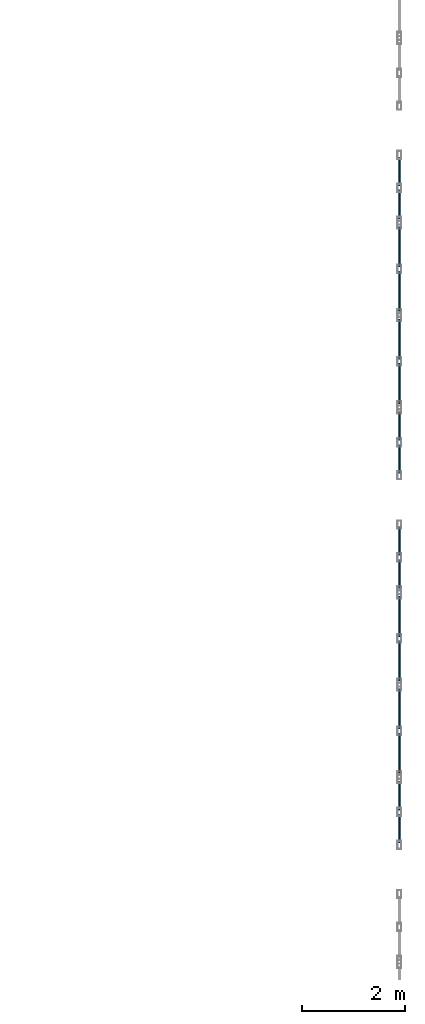
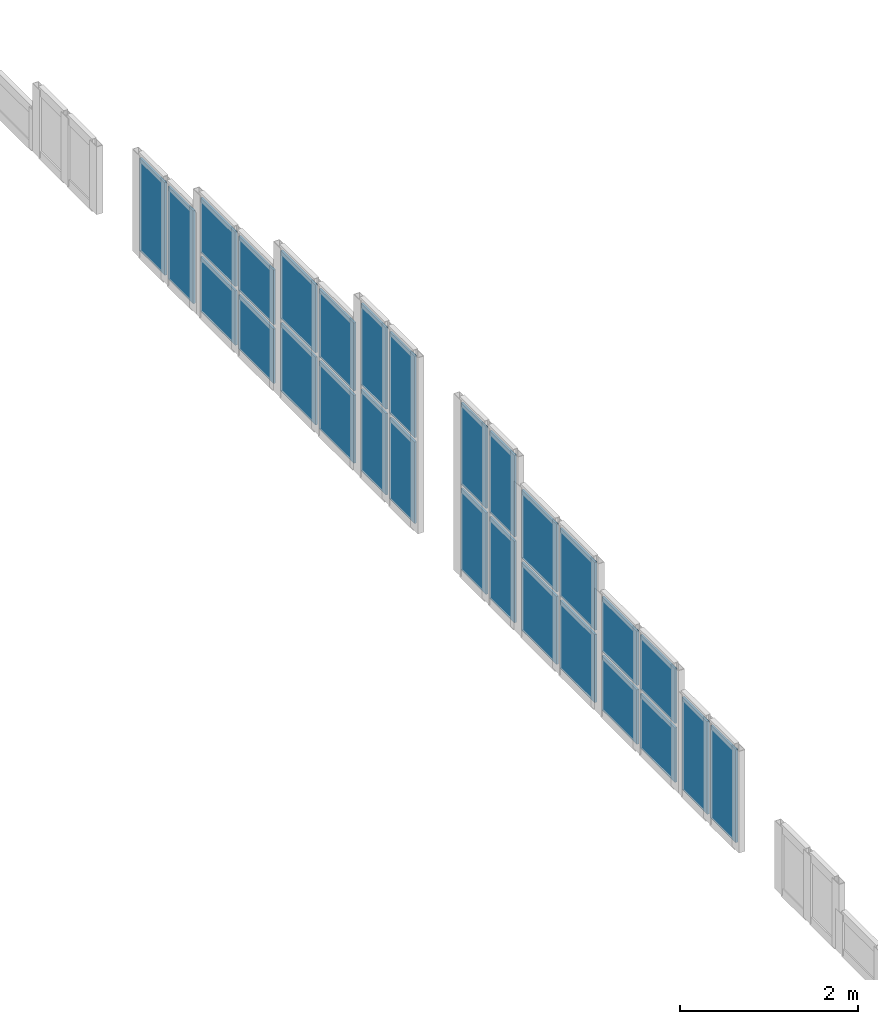
# One storey, part 11 of 20: 28 plates, 8 elements without a shape of their own.
"""IFC4 building model written with IfcOpenShell, lengths in metres."""

import ifcopenshell
import ifcopenshell.guid

model = None  # the IFC model being written
_history = None  # IfcOwnerHistory: only IFC2X3 demands one
_inside = {}  # id of a spatial element -> (the spatial element, [elements in it])
_under = {}  # id of a project, library or spatial element -> (it, [spatial elements below it])
_declared = {}  # id of a project -> (the project, [libraries it declares])
_typed = {}  # id of a type object -> (the type object, [elements of that type])
_made_of = {}  # id of a material, layer set ... -> (it, [elements and type objects made of it])


def new_model(schema):
    """Start an empty IFC model of exactly this schema.

    Asked for "IFC4X3", IfcOpenShell would pick the latest addendum, in which some entities
    have other attributes; the version numbers below select the first issue.
    IFC2X3 requires an IfcOwnerHistory on every rooted entity: one is made here for all.
    """
    global model, _history
    if schema == "IFC4X3":
        model = ifcopenshell.file(schema_version=(4, 3, 0, 0))
    else:
        model = ifcopenshell.file(schema=schema)
    _inside.clear()
    _under.clear()
    _declared.clear()
    _typed.clear()
    _made_of.clear()
    _history = None
    if model.schema == "IFC2X3":
        org = make("IfcOrganization", Name="unknown")
        user = make(
            "IfcPersonAndOrganization",
            ThePerson=make("IfcPerson", FamilyName="unknown"),
            TheOrganization=org,
        )
        app = make(
            "IfcApplication",
            ApplicationDeveloper=org,
            Version="unknown",
            ApplicationFullName="unknown",
            ApplicationIdentifier="unknown",
        )
        _history = make(
            "IfcOwnerHistory",
            OwningUser=user,
            OwningApplication=app,
            ChangeAction="ADDED",
            CreationDate=0,
        )
    return model


def make(cls, **values):
    """One entity of the class cls with the attributes given. An attribute that is None is left unset."""
    return model.create_entity(
        cls, **{name: value for name, value in values.items() if value is not None}
    )


def rooted(cls, **values):
    """An entity with a GlobalId (a new one), such as an element, a storey or a relation."""
    return make(cls, GlobalId=ifcopenshell.guid.new(), OwnerHistory=_history, **values)


def si_unit(unit_type, name, prefix=None):
    """IfcSIUnit, for example si_unit("LENGTHUNIT", "METRE", prefix="MILLI")."""
    return make("IfcSIUnit", UnitType=unit_type, Prefix=prefix, Name=name)


def assignment(units):
    """IfcUnitAssignment: the units of a project."""
    return None if units is None else make("IfcUnitAssignment", Units=units)


def point(xyz):
    """IfcCartesianPoint."""
    return None if xyz is None else make("IfcCartesianPoint", Coordinates=xyz)


def direction(xyz):
    """IfcDirection."""
    return None if xyz is None else make("IfcDirection", DirectionRatios=xyz)


def frame(location, z_axis=None, x_axis=None):
    """IfcAxis2Placement3D, a coordinate frame: its origin and axes. An axis left out is left unset."""
    return make(
        "IfcAxis2Placement3D",
        Location=point(location),
        Axis=direction(z_axis),
        RefDirection=direction(x_axis),
    )


def frame_2d(location, x_axis=None):
    """IfcAxis2Placement2D, a coordinate frame in the plane: its origin and x axis."""
    return make(
        "IfcAxis2Placement2D", Location=point(location), RefDirection=direction(x_axis)
    )


def origin():
    """The frame at (0, 0, 0) with its axes left unset."""
    return frame((0.0, 0.0, 0.0))


def origin_2d():
    """The frame at (0, 0) in the plane with its x axis left unset."""
    return frame_2d((0.0, 0.0))


def place(relative_to, where):
    """IfcLocalPlacement: puts the frame where relative to a parent placement (None: the world)."""
    return make(
        "IfcLocalPlacement", PlacementRelTo=relative_to, RelativePlacement=where
    )


def context(
    kind, dimensions, precision=None, world=None, true_north=None, identifier=None
):
    """IfcGeometricRepresentationContext, for example the 3D "Model" context."""
    return make(
        "IfcGeometricRepresentationContext",
        ContextIdentifier=identifier,
        ContextType=kind,
        CoordinateSpaceDimension=dimensions,
        Precision=precision,
        WorldCoordinateSystem=world,
        TrueNorth=true_north,
    )


def subcontext(parent, identifier, kind, view, scale=None):
    """IfcGeometricRepresentationSubContext, for example "Body" below "Model"."""
    return make(
        "IfcGeometricRepresentationSubContext",
        ContextIdentifier=identifier,
        ContextType=kind,
        ParentContext=parent,
        TargetScale=scale,
        TargetView=view,
    )


def project(units=None, contexts=None):
    """IfcProject with its units and contexts."""
    return rooted(
        "IfcProject",
        Name="project",
        RepresentationContexts=contexts,
        UnitsInContext=assignment(units),
    )


def spatial(cls, under=None, at=None, **own):
    """A site, building, storey or space (cls), placed at a placement, below another one or the project."""
    s = rooted(cls, ObjectPlacement=at, **own)
    if under is not None:
        _under.setdefault(under.id(), (under, []))[1].append(s)
    return s


def profile(cls, at=None, kind="AREA", **sizes):
    """A parametric profile (cls). Its sizes go by their IFC names, for example OverallWidth=200.0."""
    return make(cls, ProfileType=kind, Position=at, **sizes)


def rectangle(**sizes):
    """IfcRectangleProfileDef."""
    return profile("IfcRectangleProfileDef", **sizes)


def extrude(swept, where, along, depth):
    """IfcExtrudedAreaSolid: the profile swept, set in the frame where, extruded along a direction by depth."""
    return make(
        "IfcExtrudedAreaSolid",
        SweptArea=swept,
        Position=where,
        ExtrudedDirection=direction(along),
        Depth=depth,
    )


def shape(context_of_items, identifier, shape_type, items):
    """IfcShapeRepresentation: the items that make up one representation, for example the "Body"."""
    return make(
        "IfcShapeRepresentation",
        ContextOfItems=context_of_items,
        RepresentationIdentifier=identifier,
        RepresentationType=shape_type,
        Items=items,
    )


def material(Name=None, Category=None):
    """IfcMaterial."""
    return make("IfcMaterial", Name=Name, Category=Category)


def layer(
    of_material, thickness, ventilated=None, Name=None, Category=None, Priority=None
):
    """IfcMaterialLayer: one layer of a wall or slab, of a material (None: an air gap)."""
    return make(
        "IfcMaterialLayer",
        Material=of_material,
        LayerThickness=thickness,
        IsVentilated=ventilated,
        Name=Name,
        Category=Category,
        Priority=Priority,
    )


def layer_set(layers, Name=None):
    """IfcMaterialLayerSet."""
    return make("IfcMaterialLayerSet", MaterialLayers=layers, LayerSetName=Name)


def made_of(thing, what):
    """Note that an element or type object is made of a material, layer set ...; save() writes the relation."""
    if what is not None:
        _made_of.setdefault(what.id(), (what, []))[1].append(thing)
    return thing


def type_object(cls, material=None, **own):
    """A type object (cls), such as IfcWallType, which elements share."""
    return made_of(rooted(cls, **own), material)


def element(
    cls,
    number,
    at=None,
    inside=None,
    cuts=None,
    type_object=None,
    material=None,
    context=None,
    identifier="Body",
    shape_type=None,
    held_by="IfcProductDefinitionShape",
    body=None,
    shapes=None,
    **own,
):
    """One element of the class cls, such as IfcWall. Its Tag is "e" and its number.

    at: its placement. inside: the storey or other place that contains it. cuts: it is an
    opening in that element (IfcRelVoidsElement). A single representation is given by context,
    identifier, shape_type and body (its items); several are given by shapes. held_by: the class
    of the entity that holds the representations. save() writes the other relations.
    """
    e = rooted(cls, Tag="e%d" % number, ObjectPlacement=at, **own)
    if body is not None:
        shapes = [shape(context, identifier, shape_type, body)]
    if shapes is not None:
        e.Representation = make(held_by, Representations=shapes)
    if inside is not None:
        _inside.setdefault(inside.id(), (inside, []))[1].append(e)
    if cuts is not None:
        rooted(
            "IfcRelVoidsElement", RelatingBuildingElement=cuts, RelatedOpeningElement=e
        )
    if type_object is not None:
        _typed.setdefault(type_object.id(), (type_object, []))[1].append(e)
    return made_of(e, material)


def aggregate(whole, parts):
    """IfcRelAggregates: a whole, such as a stair, and the parts it consists of."""
    return rooted("IfcRelAggregates", RelatingObject=whole, RelatedObjects=parts)


def save(model, path):
    """Write the relations noted so far, then the file.

    IfcRelAggregates (storeys below a building ...), IfcRelContainedInSpatialStructure (elements
    in a storey), IfcRelDefinesByType, IfcRelAssociatesMaterial and IfcRelDeclares: one each for
    every whole, place, type object, material and project.
    """
    for whole, parts in _under.values():
        aggregate(whole, parts)
    for where, things in _inside.values():
        rooted(
            "IfcRelContainedInSpatialStructure",
            RelatedElements=things,
            RelatingStructure=where,
        )
    for kind, things in _typed.values():
        rooted("IfcRelDefinesByType", RelatedObjects=things, RelatingType=kind)
    for what, things in _made_of.values():
        rooted("IfcRelAssociatesMaterial", RelatedObjects=things, RelatingMaterial=what)
    for by, libraries in _declared.values():
        rooted("IfcRelDeclares", RelatingContext=by, RelatedDefinitions=libraries)
    model.write(path)


model = new_model("IFC4")

# Units and contexts
model_context = context("Model", 3, precision=1e-05, world=origin(), true_north=direction((0.0, 1.0)))
body_context = subcontext(model_context, "Body", "Model", "MODEL_VIEW")
ifc_project = project(units=[si_unit("LENGTHUNIT", "METRE"), si_unit("AREAUNIT", "SQUARE_METRE"), si_unit("VOLUMEUNIT", "CUBIC_METRE"), si_unit("PLANEANGLEUNIT", "RADIAN"), si_unit("MASSUNIT", "GRAM", prefix="KILO"), si_unit("THERMODYNAMICTEMPERATUREUNIT", "KELVIN"), si_unit("POWERUNIT", "WATT")], contexts=[model_context])

# Site, building, storey
site_placement = place(None, origin())
site = spatial("IfcSite", under=ifc_project, at=site_placement, CompositionType="ELEMENT")
building_placement = place(site_placement, origin())
building = spatial("IfcBuilding", under=site, at=building_placement, Name="Kaldorven Railside Theatre", CompositionType="ELEMENT")
storey_placement = place(building_placement, frame((0.0, 0.0, 23.10009765625)))
storey = spatial("IfcBuildingStorey", under=building, at=storey_placement, Name="L05", CompositionType="ELEMENT", Elevation=23.10009765625)

# Curtain wall, plates
ifc_material = material(Name="Low-E laminated solar-control glass", Category="glass")
ifc_layer_1 = layer(ifc_material, 0.159912109375, Name="Low-E laminated solar-control glass")
ifc_layer_set_1 = layer_set([ifc_layer_1], Name="Low-E laminated solar-control glass")
curtain_wall_type_1 = type_object("IfcCurtainWallType", Name="CWT-73", PredefinedType="USERDEFINED", material=ifc_layer_set_1)
curtain_wall_1_placement = place(storey_placement, origin())
curtain_wall_1 = element("IfcCurtainWall", 1, at=curtain_wall_1_placement, inside=storey, type_object=curtain_wall_type_1, Name="Production East Gable Clerestory CWG-174", ObjectType="FLUTED GLAZING", PredefinedType="USERDEFINED")
ifc_layer_2 = layer(ifc_material, 0.028076171875, Name="Low-E laminated solar-control glass")
ifc_layer_set_2 = layer_set([ifc_layer_2], Name="Low-E laminated solar-control glass")
plate_type = type_object("IfcPlateType", Name="CWP-GLZ28", PredefinedType="CURTAIN_PANEL", material=ifc_layer_set_2)
plate_1_placement = place(storey_placement, frame((166.39990234375, 120.800048828125, 0.079833984375), z_axis=(0.0, 0.0, 1.0), x_axis=(0.0, 1.0, 0.0)))
plate_1 = element("IfcPlate", 2, at=plate_1_placement, type_object=plate_type, Name="CWG-174 panel 1.1", PredefinedType="CURTAIN_PANEL", context=body_context, shape_type="SweptSolid", body=[
    extrude(rectangle(XDim=0.56005859375, YDim=0.028076171875, at=origin_2d()), origin(), (0.0, 0.0, 1.0), 1.27001953125),
])
plate_2_placement = place(storey_placement, frame((166.39990234375, 121.43994140625, 0.079833984375), z_axis=(0.0, 0.0, 1.0), x_axis=(0.0, 1.0, 0.0)))
plate_2 = element("IfcPlate", 3, at=plate_2_placement, type_object=plate_type, Name="CWG-174 panel 2.1", PredefinedType="CURTAIN_PANEL", context=body_context, shape_type="SweptSolid", body=[
    extrude(rectangle(XDim=0.56005859375, YDim=0.028076171875, at=origin_2d()), origin(), (0.0, 0.0, 1.0), 1.27001953125),
])
aggregate(curtain_wall_1, [plate_1, plate_2])

ifc_layer_3 = layer(ifc_material, 0.159912109375, Name="Low-E laminated solar-control glass")
ifc_layer_set_3 = layer_set([ifc_layer_3], Name="Low-E laminated solar-control glass")
curtain_wall_type_2 = type_object("IfcCurtainWallType", Name="CWT-74", PredefinedType="USERDEFINED", material=ifc_layer_set_3)
curtain_wall_2_placement = place(storey_placement, origin())
curtain_wall_2 = element("IfcCurtainWall", 4, at=curtain_wall_2_placement, inside=storey, type_object=curtain_wall_type_2, Name="Production East Gable Clerestory CWG-175", ObjectType="FLUTED GLAZING", PredefinedType="USERDEFINED")
plate_3_placement = place(storey_placement, frame((166.39990234375, 122.27001953125, 0.079833984375), z_axis=(0.0, 0.0, 1.0), x_axis=(0.0, 1.0, 0.0)))
plate_3 = element("IfcPlate", 5, at=plate_3_placement, type_object=plate_type, Name="CWG-175 panel 1.1", PredefinedType="CURTAIN_PANEL", context=body_context, shape_type="SweptSolid", body=[
    extrude(rectangle(XDim=0.780029296875, YDim=0.028076171875, at=origin_2d()), origin(), (0.0, 0.0, 1.0), 0.7451171875),
])
plate_4_placement = place(storey_placement, frame((166.39990234375, 122.27001953125, 0.884765625), z_axis=(0.0, 0.0, 1.0), x_axis=(0.0, 1.0, 0.0)))
plate_4 = element("IfcPlate", 6, at=plate_4_placement, type_object=plate_type, Name="CWG-175 panel 1.2", PredefinedType="CURTAIN_PANEL", context=body_context, shape_type="SweptSolid", body=[
    extrude(rectangle(XDim=0.780029296875, YDim=0.028076171875, at=origin_2d()), origin(), (0.0, 0.0, 1.0), 0.7451171875),
])
plate_5_placement = place(storey_placement, frame((166.39990234375, 123.1298828125, 0.079833984375), z_axis=(0.0, 0.0, 1.0), x_axis=(0.0, 1.0, 0.0)))
plate_5 = element("IfcPlate", 7, at=plate_5_placement, type_object=plate_type, Name="CWG-175 panel 2.1", PredefinedType="CURTAIN_PANEL", context=body_context, shape_type="SweptSolid", body=[
    extrude(rectangle(XDim=0.780029296875, YDim=0.028076171875, at=origin_2d()), origin(), (0.0, 0.0, 1.0), 0.7451171875),
])
plate_6_placement = place(storey_placement, frame((166.39990234375, 123.1298828125, 0.884765625), z_axis=(0.0, 0.0, 1.0), x_axis=(0.0, 1.0, 0.0)))
plate_6 = element("IfcPlate", 8, at=plate_6_placement, type_object=plate_type, Name="CWG-175 panel 2.2", PredefinedType="CURTAIN_PANEL", context=body_context, shape_type="SweptSolid", body=[
    extrude(rectangle(XDim=0.780029296875, YDim=0.028076171875, at=origin_2d()), origin(), (0.0, 0.0, 1.0), 0.7451171875),
])
aggregate(curtain_wall_2, [plate_3, plate_4, plate_5, plate_6])

ifc_layer_4 = layer(ifc_material, 0.159912109375, Name="Low-E laminated solar-control glass")
ifc_layer_set_4 = layer_set([ifc_layer_4], Name="Low-E laminated solar-control glass")
curtain_wall_type_3 = type_object("IfcCurtainWallType", Name="CWT-75", PredefinedType="USERDEFINED", material=ifc_layer_set_4)
curtain_wall_3_placement = place(storey_placement, origin())
curtain_wall_3 = element("IfcCurtainWall", 9, at=curtain_wall_3_placement, inside=storey, type_object=curtain_wall_type_3, Name="Production East Gable Clerestory CWG-176", ObjectType="FLUTED GLAZING", PredefinedType="USERDEFINED")
plate_7_placement = place(storey_placement, frame((166.39990234375, 124.070068359375, 0.080078125), z_axis=(0.0, 0.0, 1.0), x_axis=(0.0, 1.0, 0.0)))
plate_7 = element("IfcPlate", 10, at=plate_7_placement, type_object=plate_type, Name="CWG-176 panel 1.1", PredefinedType="CURTAIN_PANEL", context=body_context, shape_type="SweptSolid", body=[
    extrude(rectangle(XDim=0.780029296875, YDim=0.028076171875, at=origin_2d()), origin(), (0.0, 0.0, 1.0), 0.929931640625),
])
plate_8_placement = place(storey_placement, frame((166.39990234375, 124.070068359375, 1.06982421875), z_axis=(0.0, 0.0, 1.0), x_axis=(0.0, 1.0, 0.0)))
plate_8 = element("IfcPlate", 11, at=plate_8_placement, type_object=plate_type, Name="CWG-176 panel 1.2", PredefinedType="CURTAIN_PANEL", context=body_context, shape_type="SweptSolid", body=[
    extrude(rectangle(XDim=0.780029296875, YDim=0.028076171875, at=origin_2d()), origin(), (0.0, 0.0, 1.0), 0.929931640625),
])
plate_9_placement = place(storey_placement, frame((166.39990234375, 124.929931640625, 0.080078125), z_axis=(0.0, 0.0, 1.0), x_axis=(0.0, 1.0, 0.0)))
plate_9 = element("IfcPlate", 12, at=plate_9_placement, type_object=plate_type, Name="CWG-176 panel 2.1", PredefinedType="CURTAIN_PANEL", context=body_context, shape_type="SweptSolid", body=[
    extrude(rectangle(XDim=0.780029296875, YDim=0.028076171875, at=origin_2d()), origin(), (0.0, 0.0, 1.0), 0.929931640625),
])
plate_10_placement = place(storey_placement, frame((166.39990234375, 124.929931640625, 1.06982421875), z_axis=(0.0, 0.0, 1.0), x_axis=(0.0, 1.0, 0.0)))
plate_10 = element("IfcPlate", 13, at=plate_10_placement, type_object=plate_type, Name="CWG-176 panel 2.2", PredefinedType="CURTAIN_PANEL", context=body_context, shape_type="SweptSolid", body=[
    extrude(rectangle(XDim=0.780029296875, YDim=0.028076171875, at=origin_2d()), origin(), (0.0, 0.0, 1.0), 0.929931640625),
])
aggregate(curtain_wall_3, [plate_7, plate_8, plate_9, plate_10])

ifc_layer_5 = layer(ifc_material, 0.159912109375, Name="Low-E laminated solar-control glass")
ifc_layer_set_5 = layer_set([ifc_layer_5], Name="Low-E laminated solar-control glass")
curtain_wall_type_4 = type_object("IfcCurtainWallType", Name="CWT-76", PredefinedType="USERDEFINED", material=ifc_layer_set_5)
curtain_wall_4_placement = place(storey_placement, origin())
curtain_wall_4 = element("IfcCurtainWall", 14, at=curtain_wall_4_placement, inside=storey, type_object=curtain_wall_type_4, Name="Production East Gable Clerestory CWG-177", ObjectType="FLUTED GLAZING", PredefinedType="USERDEFINED")
plate_11_placement = place(storey_placement, frame((166.39990234375, 125.760009765625, 0.080078125), z_axis=(0.0, 0.0, 1.0), x_axis=(0.0, 1.0, 0.0)))
plate_11 = element("IfcPlate", 15, at=plate_11_placement, type_object=plate_type, Name="CWG-177 panel 1.1", PredefinedType="CURTAIN_PANEL", context=body_context, shape_type="SweptSolid", body=[
    extrude(rectangle(XDim=0.56005859375, YDim=0.028076171875, at=origin_2d()), origin(), (0.0, 0.0, 1.0), 1.114990234375),
])
plate_12_placement = place(storey_placement, frame((166.39990234375, 125.760009765625, 1.2548828125), z_axis=(0.0, 0.0, 1.0), x_axis=(0.0, 1.0, 0.0)))
plate_12 = element("IfcPlate", 16, at=plate_12_placement, type_object=plate_type, Name="CWG-177 panel 1.2", PredefinedType="CURTAIN_PANEL", context=body_context, shape_type="SweptSolid", body=[
    extrude(rectangle(XDim=0.56005859375, YDim=0.028076171875, at=origin_2d()), origin(), (0.0, 0.0, 1.0), 1.114990234375),
])
plate_13_placement = place(storey_placement, frame((166.39990234375, 126.39990234375, 0.080078125), z_axis=(0.0, 0.0, 1.0), x_axis=(0.0, 1.0, 0.0)))
plate_13 = element("IfcPlate", 17, at=plate_13_placement, type_object=plate_type, Name="CWG-177 panel 2.1", PredefinedType="CURTAIN_PANEL", context=body_context, shape_type="SweptSolid", body=[
    extrude(rectangle(XDim=0.56005859375, YDim=0.028076171875, at=origin_2d()), origin(), (0.0, 0.0, 1.0), 1.114990234375),
])
plate_14_placement = place(storey_placement, frame((166.39990234375, 126.39990234375, 1.2548828125), z_axis=(0.0, 0.0, 1.0), x_axis=(0.0, 1.0, 0.0)))
plate_14 = element("IfcPlate", 18, at=plate_14_placement, type_object=plate_type, Name="CWG-177 panel 2.2", PredefinedType="CURTAIN_PANEL", context=body_context, shape_type="SweptSolid", body=[
    extrude(rectangle(XDim=0.56005859375, YDim=0.028076171875, at=origin_2d()), origin(), (0.0, 0.0, 1.0), 1.114990234375),
])
aggregate(curtain_wall_4, [plate_11, plate_12, plate_13, plate_14])

curtain_wall_5_placement = place(storey_placement, origin())
curtain_wall_5 = element("IfcCurtainWall", 19, at=curtain_wall_5_placement, inside=storey, type_object=curtain_wall_type_4, Name="Production East Gable Clerestory CWG-178", ObjectType="FLUTED GLAZING", PredefinedType="USERDEFINED")
plate_15_placement = place(storey_placement, frame((166.39990234375, 128.0, 0.080078125), z_axis=(0.0, 0.0, 1.0), x_axis=(0.0, 1.0, 0.0)))
plate_15 = element("IfcPlate", 20, at=plate_15_placement, type_object=plate_type, Name="CWG-178 panel 1.1", PredefinedType="CURTAIN_PANEL", context=body_context, shape_type="SweptSolid", body=[
    extrude(rectangle(XDim=0.56005859375, YDim=0.028076171875, at=origin_2d()), origin(), (0.0, 0.0, 1.0), 1.114990234375),
])
plate_16_placement = place(storey_placement, frame((166.39990234375, 128.0, 1.2548828125), z_axis=(0.0, 0.0, 1.0), x_axis=(0.0, 1.0, 0.0)))
plate_16 = element("IfcPlate", 21, at=plate_16_placement, type_object=plate_type, Name="CWG-178 panel 1.2", PredefinedType="CURTAIN_PANEL", context=body_context, shape_type="SweptSolid", body=[
    extrude(rectangle(XDim=0.56005859375, YDim=0.028076171875, at=origin_2d()), origin(), (0.0, 0.0, 1.0), 1.114990234375),
])
plate_17_placement = place(storey_placement, frame((166.39990234375, 128.639892578125, 0.080078125), z_axis=(0.0, 0.0, 1.0), x_axis=(0.0, 1.0, 0.0)))
plate_17 = element("IfcPlate", 22, at=plate_17_placement, type_object=plate_type, Name="CWG-178 panel 2.1", PredefinedType="CURTAIN_PANEL", context=body_context, shape_type="SweptSolid", body=[
    extrude(rectangle(XDim=0.56005859375, YDim=0.028076171875, at=origin_2d()), origin(), (0.0, 0.0, 1.0), 1.114990234375),
])
plate_18_placement = place(storey_placement, frame((166.39990234375, 128.639892578125, 1.2548828125), z_axis=(0.0, 0.0, 1.0), x_axis=(0.0, 1.0, 0.0)))
plate_18 = element("IfcPlate", 23, at=plate_18_placement, type_object=plate_type, Name="CWG-178 panel 2.2", PredefinedType="CURTAIN_PANEL", context=body_context, shape_type="SweptSolid", body=[
    extrude(rectangle(XDim=0.56005859375, YDim=0.028076171875, at=origin_2d()), origin(), (0.0, 0.0, 1.0), 1.114990234375),
])
aggregate(curtain_wall_5, [plate_15, plate_16, plate_17, plate_18])

curtain_wall_6_placement = place(storey_placement, origin())
curtain_wall_6 = element("IfcCurtainWall", 24, at=curtain_wall_6_placement, inside=storey, type_object=curtain_wall_type_3, Name="Production East Gable Clerestory CWG-179", ObjectType="FLUTED GLAZING", PredefinedType="USERDEFINED")
plate_19_placement = place(storey_placement, frame((166.39990234375, 129.469970703125, 0.080078125), z_axis=(0.0, 0.0, 1.0), x_axis=(0.0, 1.0, 0.0)))
plate_19 = element("IfcPlate", 25, at=plate_19_placement, type_object=plate_type, Name="CWG-179 panel 1.1", PredefinedType="CURTAIN_PANEL", context=body_context, shape_type="SweptSolid", body=[
    extrude(rectangle(XDim=0.780029296875, YDim=0.028076171875, at=origin_2d()), origin(), (0.0, 0.0, 1.0), 0.929931640625),
])
plate_20_placement = place(storey_placement, frame((166.39990234375, 129.469970703125, 1.06982421875), z_axis=(0.0, 0.0, 1.0), x_axis=(0.0, 1.0, 0.0)))
plate_20 = element("IfcPlate", 26, at=plate_20_placement, type_object=plate_type, Name="CWG-179 panel 1.2", PredefinedType="CURTAIN_PANEL", context=body_context, shape_type="SweptSolid", body=[
    extrude(rectangle(XDim=0.780029296875, YDim=0.028076171875, at=origin_2d()), origin(), (0.0, 0.0, 1.0), 0.929931640625),
])
plate_21_placement = place(storey_placement, frame((166.39990234375, 130.330078125, 0.080078125), z_axis=(0.0, 0.0, 1.0), x_axis=(0.0, 1.0, 0.0)))
plate_21 = element("IfcPlate", 27, at=plate_21_placement, type_object=plate_type, Name="CWG-179 panel 2.1", PredefinedType="CURTAIN_PANEL", context=body_context, shape_type="SweptSolid", body=[
    extrude(rectangle(XDim=0.780029296875, YDim=0.028076171875, at=origin_2d()), origin(), (0.0, 0.0, 1.0), 0.929931640625),
])
plate_22_placement = place(storey_placement, frame((166.39990234375, 130.330078125, 1.06982421875), z_axis=(0.0, 0.0, 1.0), x_axis=(0.0, 1.0, 0.0)))
plate_22 = element("IfcPlate", 28, at=plate_22_placement, type_object=plate_type, Name="CWG-179 panel 2.2", PredefinedType="CURTAIN_PANEL", context=body_context, shape_type="SweptSolid", body=[
    extrude(rectangle(XDim=0.780029296875, YDim=0.028076171875, at=origin_2d()), origin(), (0.0, 0.0, 1.0), 0.929931640625),
])
aggregate(curtain_wall_6, [plate_19, plate_20, plate_21, plate_22])

curtain_wall_7_placement = place(storey_placement, origin())
curtain_wall_7 = element("IfcCurtainWall", 29, at=curtain_wall_7_placement, inside=storey, type_object=curtain_wall_type_2, Name="Production East Gable Clerestory CWG-180", ObjectType="FLUTED GLAZING", PredefinedType="USERDEFINED")
plate_23_placement = place(storey_placement, frame((166.39990234375, 131.27001953125, 0.079833984375), z_axis=(0.0, 0.0, 1.0), x_axis=(0.0, 1.0, 0.0)))
plate_23 = element("IfcPlate", 30, at=plate_23_placement, type_object=plate_type, Name="CWG-180 panel 1.1", PredefinedType="CURTAIN_PANEL", context=body_context, shape_type="SweptSolid", body=[
    extrude(rectangle(XDim=0.780029296875, YDim=0.028076171875, at=origin_2d()), origin(), (0.0, 0.0, 1.0), 0.7451171875),
])
plate_24_placement = place(storey_placement, frame((166.39990234375, 131.27001953125, 0.884765625), z_axis=(0.0, 0.0, 1.0), x_axis=(0.0, 1.0, 0.0)))
plate_24 = element("IfcPlate", 31, at=plate_24_placement, type_object=plate_type, Name="CWG-180 panel 1.2", PredefinedType="CURTAIN_PANEL", context=body_context, shape_type="SweptSolid", body=[
    extrude(rectangle(XDim=0.780029296875, YDim=0.028076171875, at=origin_2d()), origin(), (0.0, 0.0, 1.0), 0.7451171875),
])
plate_25_placement = place(storey_placement, frame((166.39990234375, 132.1298828125, 0.079833984375), z_axis=(0.0, 0.0, 1.0), x_axis=(0.0, 1.0, 0.0)))
plate_25 = element("IfcPlate", 32, at=plate_25_placement, type_object=plate_type, Name="CWG-180 panel 2.1", PredefinedType="CURTAIN_PANEL", context=body_context, shape_type="SweptSolid", body=[
    extrude(rectangle(XDim=0.780029296875, YDim=0.028076171875, at=origin_2d()), origin(), (0.0, 0.0, 1.0), 0.7451171875),
])
plate_26_placement = place(storey_placement, frame((166.39990234375, 132.1298828125, 0.884765625), z_axis=(0.0, 0.0, 1.0), x_axis=(0.0, 1.0, 0.0)))
plate_26 = element("IfcPlate", 33, at=plate_26_placement, type_object=plate_type, Name="CWG-180 panel 2.2", PredefinedType="CURTAIN_PANEL", context=body_context, shape_type="SweptSolid", body=[
    extrude(rectangle(XDim=0.780029296875, YDim=0.028076171875, at=origin_2d()), origin(), (0.0, 0.0, 1.0), 0.7451171875),
])
aggregate(curtain_wall_7, [plate_23, plate_24, plate_25, plate_26])

curtain_wall_8_placement = place(storey_placement, origin())
curtain_wall_8 = element("IfcCurtainWall", 34, at=curtain_wall_8_placement, inside=storey, type_object=curtain_wall_type_1, Name="Production East Gable Clerestory CWG-181", ObjectType="FLUTED GLAZING", PredefinedType="USERDEFINED")
plate_27_placement = place(storey_placement, frame((166.39990234375, 132.9599609375, 0.079833984375), z_axis=(0.0, 0.0, 1.0), x_axis=(0.0, 1.0, 0.0)))
plate_27 = element("IfcPlate", 35, at=plate_27_placement, type_object=plate_type, Name="CWG-181 panel 1.1", PredefinedType="CURTAIN_PANEL", context=body_context, shape_type="SweptSolid", body=[
    extrude(rectangle(XDim=0.56005859375, YDim=0.028076171875, at=origin_2d()), origin(), (0.0, 0.0, 1.0), 1.27001953125),
])
plate_28_placement = place(storey_placement, frame((166.39990234375, 133.60009765625, 0.079833984375), z_axis=(0.0, 0.0, 1.0), x_axis=(0.0, 1.0, 0.0)))
plate_28 = element("IfcPlate", 36, at=plate_28_placement, type_object=plate_type, Name="CWG-181 panel 2.1", PredefinedType="CURTAIN_PANEL", context=body_context, shape_type="SweptSolid", body=[
    extrude(rectangle(XDim=0.56005859375, YDim=0.028076171875, at=origin_2d()), origin(), (0.0, 0.0, 1.0), 1.27001953125),
])
aggregate(curtain_wall_8, [plate_27, plate_28])

save(model, "model.ifc")
